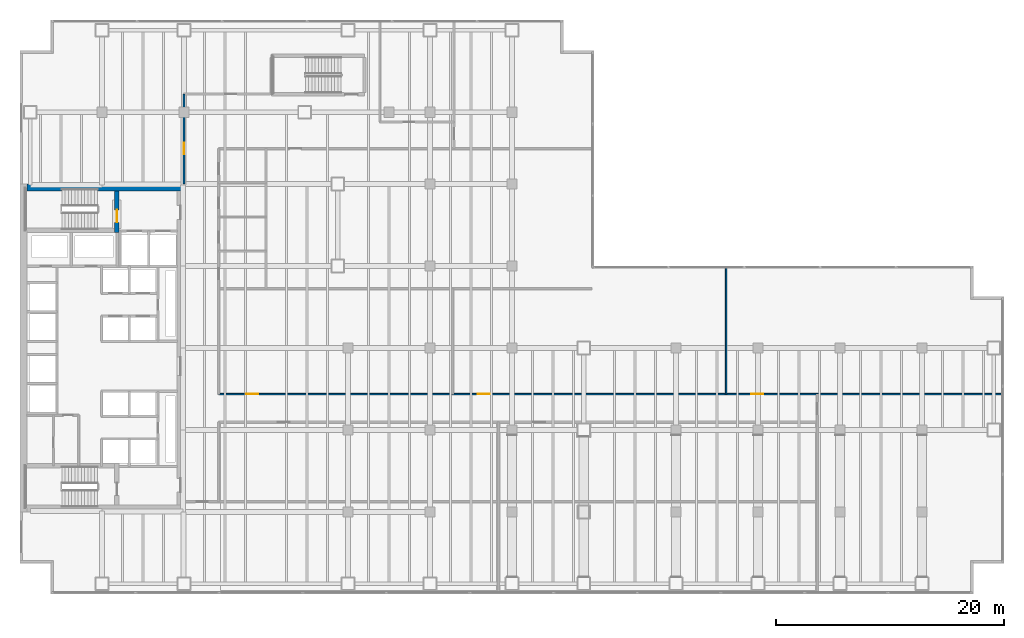
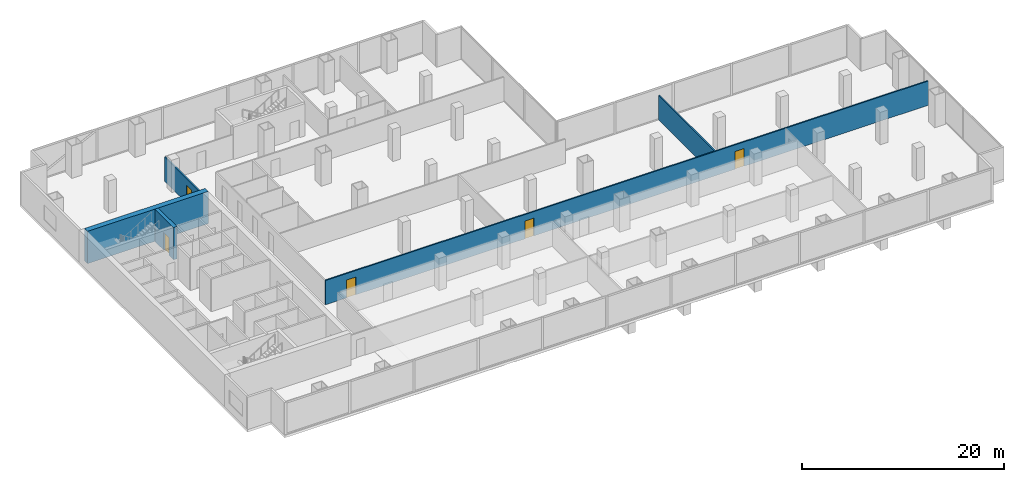
# One storey, part 28 of 34: 5 doors, 5 walls, 5 openings.
"""IFC4 building model written with IfcOpenShell, lengths in metres."""

from ifc_helpers import new_model, si_unit, direction, frame, frame_2d, origin, place, context, subcontext, project, spatial, rectangle, extrude, material, layer, layer_set, type_object, element, fill, save


model = new_model("IFC4")

# Units and contexts
model_context = context("Model", 3, precision=1e-05, world=origin(), true_north=direction((0.0, 1.0)))
body_context = subcontext(model_context, "Body", "Model", "MODEL_VIEW")
ifc_project = project(units=[si_unit("LENGTHUNIT", "METRE"), si_unit("AREAUNIT", "SQUARE_METRE"), si_unit("VOLUMEUNIT", "CUBIC_METRE"), si_unit("PLANEANGLEUNIT", "RADIAN"), si_unit("MASSUNIT", "GRAM", prefix="KILO")], contexts=[model_context])

# Site, building, storey
site_placement = place(None, origin())
site = spatial("IfcSite", under=ifc_project, at=site_placement, CompositionType="ELEMENT")
building_placement = place(site_placement, origin())
building = spatial("IfcBuilding", under=site, at=building_placement, Name="Cobrela Telecom Tower", CompositionType="ELEMENT")
storey_placement = place(building_placement, frame((0.0, 0.0, 5.25)))
storey = spatial("IfcBuildingStorey", under=building, at=storey_placement, Name="L01", CompositionType="ELEMENT", Elevation=5.25)

# Wall
ifc_material_1 = material(Name="Concrete C50/60", Category="concrete")
ifc_layer_1 = layer(ifc_material_1, 0.60009765625)
ifc_layer_set_1 = layer_set([ifc_layer_1], Name="Concrete C50/60")
wall_type_1 = type_object("IfcWallType", Name="WALL-CORE-C50-600", PredefinedType="SHEAR", material=ifc_layer_set_1)
wall_1_placement = place(storey_placement, frame((0.60009765625, 35.699951171875, 0.0), z_axis=(0.0, 0.0, 1.0), x_axis=(1.0, 0.0, 0.0)))
element("IfcWall", 1, at=wall_1_placement, inside=storey, type_object=wall_type_1, Name="L01 North Core Shear Wall", PredefinedType="SHEAR", context=body_context, shape_type="SweptSolid", body=[
    extrude(rectangle(XDim=13.7998046875, YDim=0.60009765625, at=frame_2d((6.89990234375, 0.0))), origin(), (0.0, 0.0, 1.0), 3.89990234375),
])

# Wall, openings, doors
ifc_material_2 = material(Name="Fire-Rated Gypsum Plasterboard")
ifc_layer_2 = layer(ifc_material_2, 0.14990234375)
ifc_layer_set_2 = layer_set([ifc_layer_2], Name="Fire-Rated Gypsum Plasterboard")
wall_type_2 = type_object("IfcWallType", Name="WALL-PART-150", PredefinedType="PARTITIONING", material=ifc_layer_set_2)
wall_2_placement = place(storey_placement, frame((17.449951171875, 17.550048828125, 0.0), z_axis=(0.0, 0.0, 1.0), x_axis=(1.0, 0.0, 0.0)))
wall_2 = element("IfcWall", 2, at=wall_2_placement, inside=storey, type_object=wall_type_2, Name="L01 Interior Partition W-PC-HN", PredefinedType="PARTITIONING", context=body_context, shape_type="SweptSolid", body=[
    extrude(rectangle(XDim=68.830078125, YDim=0.14990234375, at=frame_2d((34.4150390625, 0.0))), origin(), (0.0, 0.0, 1.0), 2.93798828125),
])
opening_1_placement = place(wall_2_placement, frame((2.39990234375, 0.0, 0.0)))
opening_1 = element("IfcOpeningElement", 3, at=opening_1_placement, cuts=wall_2, Name="Opening DR-29", PredefinedType="OPENING", context=body_context, shape_type="SweptSolid", body=[
    extrude(rectangle(XDim=1.050048828125, YDim=2.14990234375, at=frame_2d((0.52490234375, 1.074951171875))), frame((0.0, 0.0869140625, 0.0), z_axis=(0.0, -1.0, 0.0), x_axis=(1.0, 0.0, 0.0)), (0.0, 0.0, 1.0), 0.173828125),
])
opening_2_placement = place(wall_2_placement, frame((22.75, 0.0, 0.0)))
opening_2 = element("IfcOpeningElement", 4, at=opening_2_placement, cuts=wall_2, Name="Opening DR-29", PredefinedType="OPENING", context=body_context, shape_type="SweptSolid", body=[
    extrude(rectangle(XDim=1.050048828125, YDim=2.14990234375, at=frame_2d((0.52490234375, 1.074951171875))), frame((0.0, 0.0869140625, 0.0), z_axis=(0.0, -1.0, 0.0), x_axis=(1.0, 0.0, 0.0)), (0.0, 0.0, 1.0), 0.173828125),
])
opening_3_placement = place(wall_2_placement, frame((46.75, 0.0, 0.0)))
opening_3 = element("IfcOpeningElement", 5, at=opening_3_placement, cuts=wall_2, Name="Opening DR-29", PredefinedType="OPENING", context=body_context, shape_type="SweptSolid", body=[
    extrude(rectangle(XDim=1.050048828125, YDim=2.14990234375, at=frame_2d((0.52490234375, 1.074951171875))), frame((0.0, 0.0869140625, 0.0), z_axis=(0.0, -1.0, 0.0), x_axis=(1.0, 0.0, 0.0)), (0.0, 0.0, 1.0), 0.173828125),
])
ifc_material_3 = material(Name="Solid Engineered Oak Timber", Category="wood")
door_type_1 = type_object("IfcDoorType", Name="DOOR-INT-1050", OperationType="SINGLE_SWING_LEFT", PredefinedType="DOOR", material=ifc_material_3)
door_1_placement = place(opening_1_placement, origin())
door_1 = element("IfcDoor", 6, at=door_1_placement, inside=storey, type_object=door_type_1, Name="L01 Door DR-29", OperationType="SINGLE_SWING_LEFT", OverallHeight=2.14990234375, OverallWidth=1.050048828125, PredefinedType="DOOR", context=body_context, shape_type="SweptSolid", body=[
    extrude(rectangle(XDim=1.050048828125, YDim=2.14990234375, at=frame_2d((0.52490234375, 1.074951171875))), frame((0.0, 0.02490234375, 0.0), z_axis=(0.0, -1.0, 0.0), x_axis=(1.0, 0.0, 0.0)), (0.0, 0.0, 1.0), 0.050048828125),
])
fill(opening_1, door_1)
door_2_placement = place(opening_2_placement, origin())
door_2 = element("IfcDoor", 7, at=door_2_placement, inside=storey, type_object=door_type_1, Name="L01 Door DR-29", OperationType="SINGLE_SWING_RIGHT", OverallHeight=2.14990234375, OverallWidth=1.050048828125, PredefinedType="DOOR", context=body_context, shape_type="SweptSolid", body=[
    extrude(rectangle(XDim=1.050048828125, YDim=2.14990234375, at=frame_2d((0.52490234375, 1.074951171875))), frame((0.0, 0.02490234375, 0.0), z_axis=(0.0, -1.0, 0.0), x_axis=(1.0, 0.0, 0.0)), (0.0, 0.0, 1.0), 0.050048828125),
])
fill(opening_2, door_2)
door_3_placement = place(opening_3_placement, origin())
door_3 = element("IfcDoor", 8, at=door_3_placement, inside=storey, type_object=door_type_1, Name="L01 Door DR-29", OperationType="SINGLE_SWING_LEFT", OverallHeight=2.14990234375, OverallWidth=1.050048828125, PredefinedType="DOOR", context=body_context, shape_type="SweptSolid", body=[
    extrude(rectangle(XDim=1.050048828125, YDim=2.14990234375, at=frame_2d((0.52490234375, 1.074951171875))), frame((0.0, 0.02490234375, 0.0), z_axis=(0.0, -1.0, 0.0), x_axis=(1.0, 0.0, 0.0)), (0.0, 0.0, 1.0), 0.050048828125),
])
fill(opening_3, door_3)

# Wall
wall_3_placement = place(storey_placement, frame((62.0, 17.550048828125, 0.0), z_axis=(0.0, 0.0, 1.0), x_axis=(0.0, 1.0, 0.0)))
element("IfcWall", 9, at=wall_3_placement, inside=storey, type_object=wall_type_2, Name="L01 Interior Partition W-POD-V2", PredefinedType="PARTITIONING", context=body_context, shape_type="SweptSolid", body=[
    extrude(rectangle(XDim=11.14990234375, YDim=0.14990234375, at=frame_2d((5.574951171875, 0.0))), origin(), (0.0, 0.0, 1.0), 2.93798828125),
])

# Wall, opening, door
wall_4_placement = place(storey_placement, frame((14.39990234375, 36.0, 0.0), z_axis=(0.0, 0.0, 1.0), x_axis=(0.0, 1.0, 0.0)))
wall_4 = element("IfcWall", 10, at=wall_4_placement, inside=storey, type_object=wall_type_2, Name="L01 Interior Partition W-POD-NWE", PredefinedType="PARTITIONING", context=body_context, shape_type="SweptSolid", body=[
    extrude(rectangle(XDim=7.89990234375, YDim=0.14990234375, at=frame_2d((3.949951171875, 0.0))), origin(), (0.0, 0.0, 1.0), 2.93798828125),
])
opening_4_placement = place(wall_4_placement, frame((2.60009765625, 0.0, 0.0)))
opening_4 = element("IfcOpeningElement", 11, at=opening_4_placement, cuts=wall_4, Name="Opening DR-31", PredefinedType="OPENING", context=body_context, shape_type="SweptSolid", body=[
    extrude(rectangle(XDim=1.0, YDim=2.14990234375, at=frame_2d((0.5, 1.074951171875))), frame((0.0, 0.0869140625, 0.0), z_axis=(0.0, -1.0, 0.0), x_axis=(1.0, 0.0, 0.0)), (0.0, 0.0, 1.0), 0.173828125),
])
door_type_2 = type_object("IfcDoorType", Name="DOOR-INT-1000", OperationType="SINGLE_SWING_LEFT", PredefinedType="DOOR", material=ifc_material_3)
door_4_placement = place(opening_4_placement, origin())
door_4 = element("IfcDoor", 12, at=door_4_placement, inside=storey, type_object=door_type_2, Name="L01 Door DR-31", OperationType="SINGLE_SWING_RIGHT", OverallHeight=2.14990234375, OverallWidth=1.0, PredefinedType="DOOR", context=body_context, shape_type="SweptSolid", body=[
    extrude(rectangle(XDim=1.0, YDim=2.14990234375, at=frame_2d((0.5, 1.074951171875))), frame((0.0, 0.02490234375, 0.0), z_axis=(0.0, -1.0, 0.0), x_axis=(1.0, 0.0, 0.0)), (0.0, 0.0, 1.0), 0.050048828125),
])
fill(opening_4, door_4)

ifc_material_4 = material(Name="Concrete C40/50", Category="concrete")
ifc_layer_3 = layer(ifc_material_4, 0.39990234375)
ifc_layer_set_3 = layer_set([ifc_layer_3], Name="Concrete C40/50")
wall_type_3 = type_object("IfcWallType", Name="WALL-SHAFT-C40-400", PredefinedType="SHEAR", material=ifc_layer_set_3)
wall_5_placement = place(storey_placement, frame((8.5, 31.719970703125, 0.0), z_axis=(0.0, 0.0, 1.0), x_axis=(0.0, 1.0, 0.0)))
wall_5 = element("IfcWall", 13, at=wall_5_placement, inside=storey, type_object=wall_type_3, Name="L01 North Stair Lobby Shear Wall", PredefinedType="SHEAR", context=body_context, shape_type="SweptSolid", body=[
    extrude(rectangle(XDim=3.679931640625, YDim=0.39990234375, at=frame_2d((1.83984375, 0.0))), origin(), (0.0, 0.0, 1.0), 3.89990234375),
])
opening_5_placement = place(wall_5_placement, frame((0.89990234375, 0.0, 0.0)))
opening_5 = element("IfcOpeningElement", 14, at=opening_5_placement, cuts=wall_5, Name="Opening DR-59", PredefinedType="OPENING", context=body_context, shape_type="SweptSolid", body=[
    extrude(rectangle(XDim=1.10009765625, YDim=2.14990234375, at=frame_2d((0.550048828125, 1.074951171875))), frame((0.0, 0.2119140625, 0.0), z_axis=(0.0, -1.0, 0.0), x_axis=(1.0, 0.0, 0.0)), (0.0, 0.0, 1.0), 0.423828125),
])
ifc_material_5 = material(Name="Steel ASTM A36", Category="steel")
door_type_3 = type_object("IfcDoorType", Name="DOOR-FD60-1100", OperationType="SINGLE_SWING_LEFT", PredefinedType="DOOR", material=ifc_material_5)
door_5_placement = place(opening_5_placement, origin())
door_5 = element("IfcDoor", 15, at=door_5_placement, inside=storey, type_object=door_type_3, Name="L01 Door DR-59", OperationType="SINGLE_SWING_RIGHT", OverallHeight=2.14990234375, OverallWidth=1.10009765625, PredefinedType="DOOR", context=body_context, shape_type="SweptSolid", body=[
    extrude(rectangle(XDim=1.10009765625, YDim=2.14990234375, at=frame_2d((0.550048828125, 1.074951171875))), frame((0.0, 0.02490234375, 0.0), z_axis=(0.0, -1.0, 0.0), x_axis=(1.0, 0.0, 0.0)), (0.0, 0.0, 1.0), 0.050048828125),
])
fill(opening_5, door_5)

save(model, "model.ifc")
